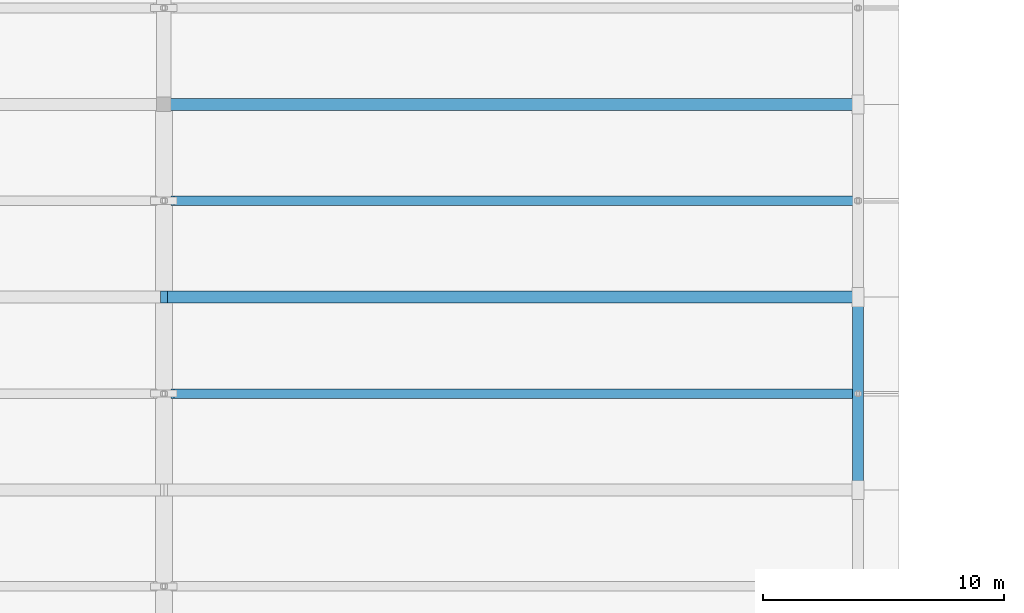
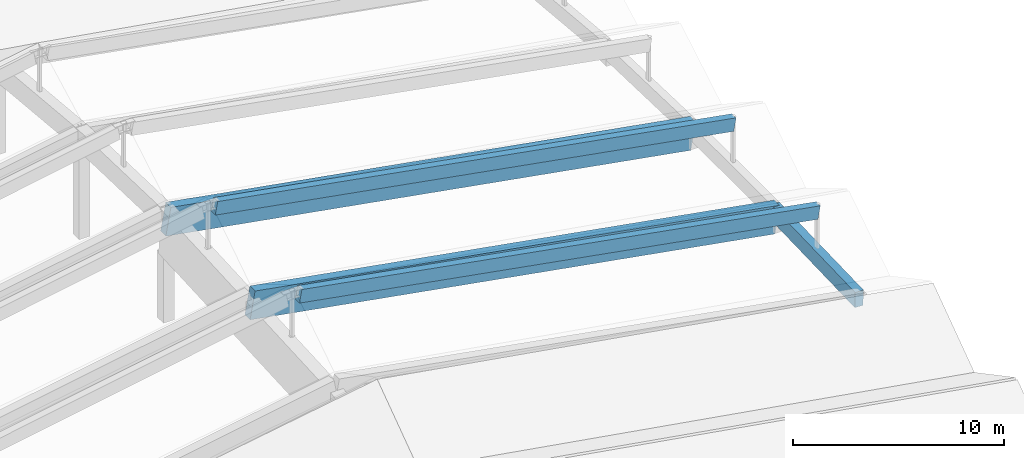
# One storey, part 26 of 109: 5 beams.
"""IFC4 building model written with IfcOpenShell, lengths in metres."""

from ifc_helpers import new_model, si_unit, direction, frame, origin, origin_2d, place, context, subcontext, project, spatial, rectangle, extrude, material, material_profile, profile_set, type_object, element, save


model = new_model("IFC4")

# Units and contexts
model_context = context("Model", 3, precision=1e-05, world=origin(), true_north=direction((0.0, 1.0)))
body_context = subcontext(model_context, "Body", "Model", "MODEL_VIEW")
ifc_project = project(units=[si_unit("LENGTHUNIT", "METRE"), si_unit("AREAUNIT", "SQUARE_METRE"), si_unit("VOLUMEUNIT", "CUBIC_METRE"), si_unit("PLANEANGLEUNIT", "RADIAN"), si_unit("MASSUNIT", "GRAM", prefix="KILO")], contexts=[model_context])

# Site, building, storey
site_placement = place(None, origin())
site = spatial("IfcSite", under=ifc_project, at=site_placement, CompositionType="ELEMENT")
building_placement = place(site_placement, origin())
building = spatial("IfcBuilding", under=site, at=building_placement, Name="Zavelmont Quarter", CompositionType="ELEMENT")
storey_placement = place(building_placement, frame((0.0, 0.0, 8.0)))
storey = spatial("IfcBuildingStorey", under=building, at=storey_placement, Name="L02", CompositionType="ELEMENT", Elevation=8.0)

# Beams
ifc_material = material(Name="Concrete C40/50", Category="concrete")
ifc_material_profile_1 = material_profile(ifc_material, rectangle(XDim=0.39990234375, YDim=0.75, at=origin_2d()), Name="RC400X750")
ifc_profile_set_1 = profile_set([ifc_material_profile_1], Name="Concrete C40/50")
beam_type_1 = type_object("IfcBeamType", Name="BM05", PredefinedType="BEAM", material=ifc_profile_set_1)
for number, where, z_axis, x_axis, name in (
    (1, (84.360107421875, 50.0, 8.554931640625), (0.984299788364, 0.0, -0.176504749585), (0.0, 1.0, 0.0), "L02 beam BM05 13/H to 17/H"),
    (2, (84.360107421875, 58.0, 8.804931640625), (0.984299788364, 0.0, -0.176504749585), (0.0, 1.0, 0.0), "L02 beam BM05 13/J to 17/J"),
):
    element("IfcBeam", number, at=place(storey_placement, frame(where, z_axis=z_axis, x_axis=x_axis)), inside=storey, type_object=beam_type_1, Name=name, PredefinedType="BEAM", context=body_context, shape_type="SweptSolid", body=[
        extrude(rectangle(XDim=0.39990234375, YDim=0.75, at=origin_2d()), origin(), (0.0, 0.0, 1.0), 28.8935546875),
    ])
ifc_material_profile_2 = material_profile(ifc_material, rectangle(XDim=0.449951171875, YDim=0.89990234375, at=origin_2d()), Name="RC450X900")
ifc_profile_set_2 = profile_set([ifc_material_profile_2], Name="Concrete C40/50")
beam_type_2 = type_object("IfcBeamType", Name="BM06", PredefinedType="BEAM", material=ifc_profile_set_2)
beam_placement = place(storey_placement, frame((112.800048828125, 46.0, 0.7548828125), z_axis=(0.0, 0.999512076087, 0.031234752378), x_axis=(-1.0, 0.0, 0.0)))
element("IfcBeam", 3, at=beam_placement, inside=storey, type_object=beam_type_2, Name="L02 beam BM06 17/H to 17/J", PredefinedType="BEAM", context=body_context, shape_type="SweptSolid", body=[
    extrude(rectangle(XDim=0.449951171875, YDim=0.89990234375, at=origin_2d()), origin(), (0.0, 0.0, 1.0), 8.00390625),
])
ifc_material_profile_3 = material_profile(ifc_material, rectangle(XDim=0.5, YDim=1.60009765625, at=origin_2d()), Name="RC500X1600")
ifc_profile_set_3 = profile_set([ifc_material_profile_3], Name="Concrete C40/50")
beam_type_3 = type_object("IfcBeamType", Name="BM08", PredefinedType="BEAM", material=ifc_profile_set_3)
for number, where, z_axis, x_axis, name in (
    (4, (84.0, 54.0, 5.7548828125), (0.984681036413, 0.0, -0.174365296229), (0.0, 1.0, 0.0), "L02 beam BM08 13/J to 17/J"),
    (5, (84.0, 62.0, 5.7548828125), (0.984681036413, 0.0, -0.174365296229), (0.0, 1.0, 0.0), "L02 beam BM08 13/K to 17/K"),
):
    element("IfcBeam", number, at=place(storey_placement, frame(where, z_axis=z_axis, x_axis=x_axis)), inside=storey, type_object=beam_type_3, Name=name, PredefinedType="BEAM", context=body_context, shape_type="SweptSolid", body=[
        extrude(rectangle(XDim=0.5, YDim=1.60009765625, at=origin_2d()), origin(), (0.0, 0.0, 1.0), 29.248046875),
    ])

save(model, "model.ifc")
